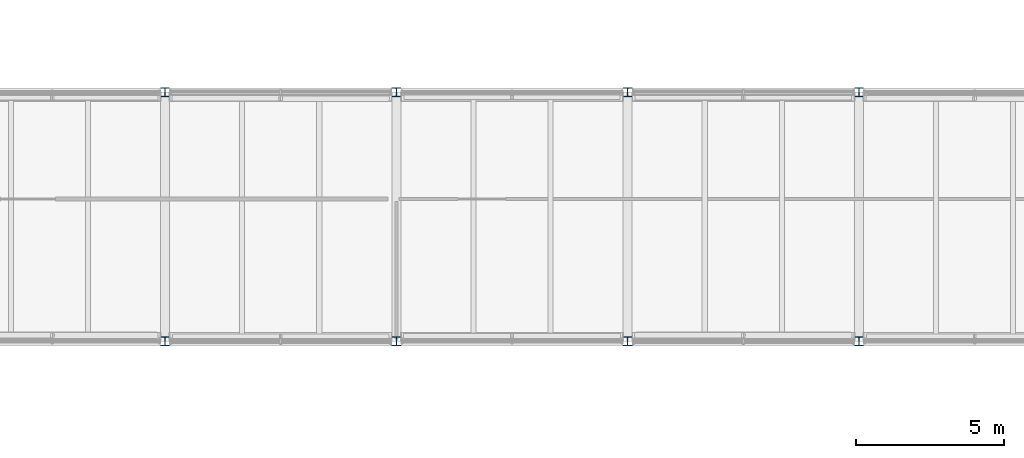
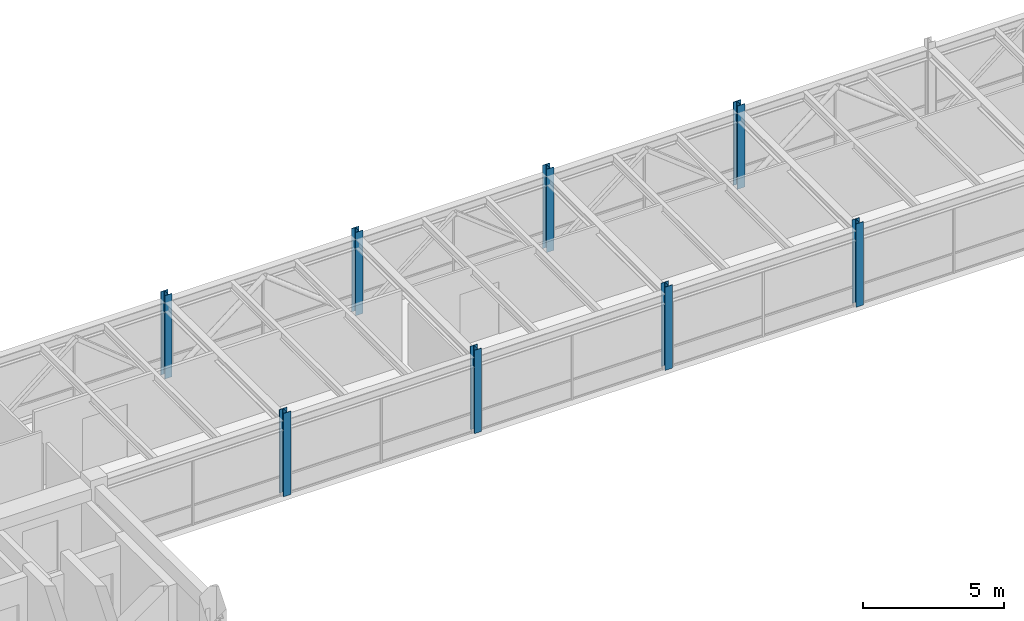
# One storey, part 2 of 49: 8 columns.
"""IFC4 building model written with IfcOpenShell, lengths in metres."""

from ifc_helpers import new_model, si_unit, direction, frame, origin, origin_2d, place, context, subcontext, project, spatial, i_section, extrude, material, material_profile, profile_set, type_object, element, save


model = new_model("IFC4")

# Units and contexts
model_context = context("Model", 3, precision=1e-05, world=origin(), true_north=direction((0.0, 1.0)))
body_context = subcontext(model_context, "Body", "Model", "MODEL_VIEW")
ifc_project = project(units=[si_unit("LENGTHUNIT", "METRE"), si_unit("AREAUNIT", "SQUARE_METRE"), si_unit("VOLUMEUNIT", "CUBIC_METRE"), si_unit("PLANEANGLEUNIT", "RADIAN"), si_unit("MASSUNIT", "GRAM", prefix="KILO"), si_unit("THERMODYNAMICTEMPERATUREUNIT", "KELVIN"), si_unit("POWERUNIT", "WATT")], contexts=[model_context])

# Site, building, storey
site_placement = place(None, origin())
site = spatial("IfcSite", under=ifc_project, at=site_placement, CompositionType="ELEMENT")
building_placement = place(site_placement, origin())
building = spatial("IfcBuilding", under=site, at=building_placement, Name="Srebrne Nadtorze General Hospital", CompositionType="ELEMENT")
storey_placement = place(building_placement, frame((0.0, 0.0, 26.10009765625)))
storey = spatial("IfcBuildingStorey", under=building, at=storey_placement, Name="L06", CompositionType="ELEMENT", Elevation=26.10009765625)

# Columns
ifc_material = material(Name="Steel S355J2", Category="steel")
ifc_material_profile = material_profile(ifc_material, i_section(OverallWidth=0.300048828125, OverallDepth=0.300048828125, WebThickness=0.010986328125, FlangeThickness=0.01904296875, FilletRadius=0.027099609375, at=origin_2d()), Name="HEB-300")
ifc_profile_set = profile_set([ifc_material_profile], Name="Steel S355J2")
column_type = type_object("IfcColumnType", Name="Steel column HEB 300", PredefinedType="COLUMN", material=ifc_profile_set)
for number, where, z_axis, x_axis, name in (
    (1, (62.39990234375, 50.39990234375, 0.0), (0.0, 0.0, 1.0), (1.0, 0.0, 0.0), "Column CL-L06-9-G"),
    (2, (62.39990234375, 58.800048828125, 0.0), (0.0, 0.0, 1.0), (1.0, 0.0, 0.0), "Column CL-L06-9-H"),
    (3, (70.199951171875, 50.39990234375, 0.0), (0.0, 0.0, 1.0), (1.0, 0.0, 0.0), "Column CL-L06-10-G"),
    (4, (70.199951171875, 58.800048828125, 0.0), (0.0, 0.0, 1.0), (1.0, 0.0, 0.0), "Column CL-L06-10-H"),
    (5, (78.0, 50.39990234375, 0.0), (0.0, 0.0, 1.0), (1.0, 0.0, 0.0), "Column CL-L06-11-G"),
    (6, (78.0, 58.800048828125, 0.0), (0.0, 0.0, 1.0), (1.0, 0.0, 0.0), "Column CL-L06-11-H"),
    (7, (85.800048828125, 50.39990234375, 0.0), (0.0, 0.0, 1.0), (1.0, 0.0, 0.0), "Column CL-L06-12-G"),
    (8, (85.800048828125, 58.800048828125, 0.0), (0.0, 0.0, 1.0), (1.0, 0.0, 0.0), "Column CL-L06-12-H"),
):
    element("IfcColumn", number, at=place(storey_placement, frame(where, z_axis=z_axis, x_axis=x_axis)), inside=storey, type_object=column_type, Name=name, PredefinedType="COLUMN", context=body_context, shape_type="SweptSolid", body=[
        extrude(i_section(OverallWidth=0.300048828125, OverallDepth=0.300048828125, WebThickness=0.010986328125, FlangeThickness=0.01904296875, FilletRadius=0.027099609375, at=origin_2d()), origin(), (0.0, 0.0, 1.0), 3.599853515625),
    ])

save(model, "model.ifc")
